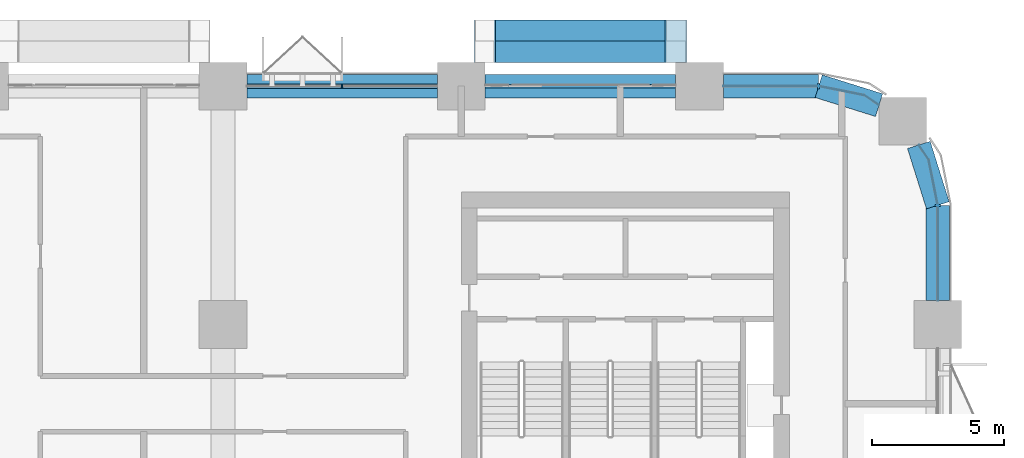
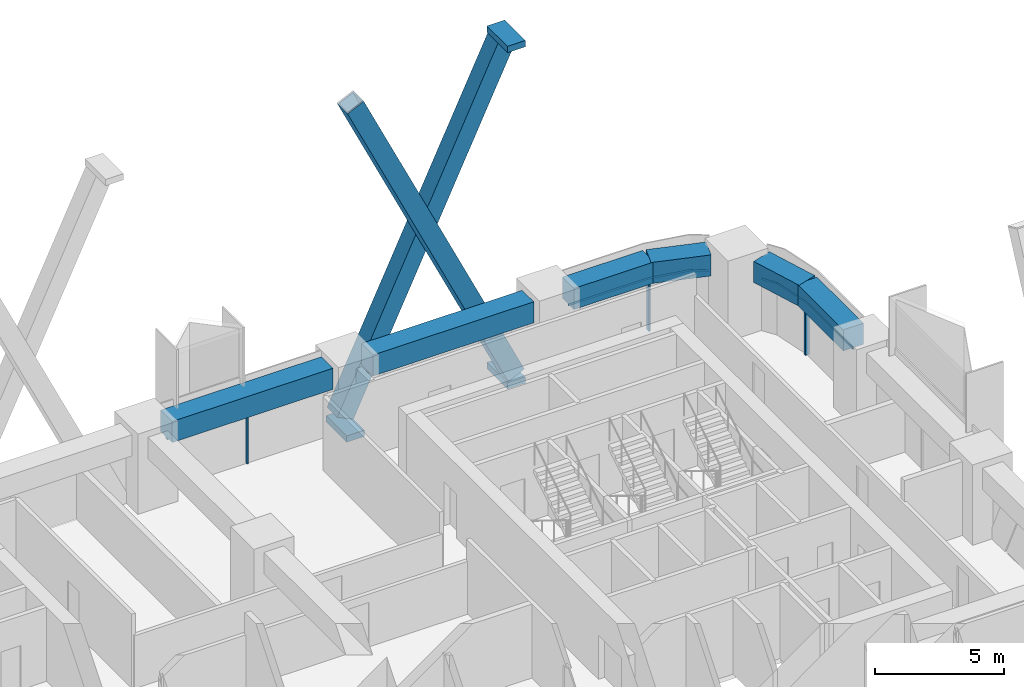
# One storey, part 9 of 23: 12 members, 6 beams, 4 elements without a shape of their own.
"""IFC4 building model written with IfcOpenShell, lengths in metres."""

from ifc_helpers import new_model, si_unit, direction, frame, origin, origin_2d, place, context, subcontext, project, spatial, polyline, rectangle, hollow_rectangle, outline, extrude, material, layer, layer_set, material_profile, profile_set, type_object, element, aggregate, save


model = new_model("IFC4")

# Units and contexts
model_context = context("Model", 3, precision=1e-05, world=origin(), true_north=direction((0.0, 1.0)))
body_context = subcontext(model_context, "Body", "Model", "MODEL_VIEW")
ifc_project = project(units=[si_unit("LENGTHUNIT", "METRE"), si_unit("AREAUNIT", "SQUARE_METRE"), si_unit("VOLUMEUNIT", "CUBIC_METRE"), si_unit("PLANEANGLEUNIT", "RADIAN"), si_unit("MASSUNIT", "GRAM", prefix="KILO")], contexts=[model_context])

# Site, building, storey
site_placement = place(None, origin())
site = spatial("IfcSite", under=ifc_project, at=site_placement, CompositionType="ELEMENT")
building_placement = place(site_placement, origin())
building = spatial("IfcBuilding", under=site, at=building_placement, Name="Tessera Arch", CompositionType="ELEMENT")
storey_placement = place(building_placement, frame((0.0, 0.0, 46.199951171875)))
storey = spatial("IfcBuildingStorey", under=building, at=storey_placement, Name="L09", CompositionType="ELEMENT", Elevation=46.199951171875)

# Members
ifc_material_1 = material(Name="Steel A572 Gr50", Category="steel")
ifc_material_profile_1 = material_profile(ifc_material_1, hollow_rectangle(XDim=0.800048828125, YDim=0.800048828125, WallThickness=0.06005859375, at=origin_2d()), Name="BOX 800x800x60")
ifc_profile_set_1 = profile_set([ifc_material_profile_1], Name="Steel A572 Gr50")
member_type_1 = type_object("IfcMemberType", Name="Brace BOX 800x800x60 Steel A572 Gr50", PredefinedType="BRACE", material=ifc_profile_set_1)
for number, where, z_axis, x_axis, name in (
    (1, (44.10009765625, 55.300048828125, -0.800048828125), (-0.428091336491, 0.0, 0.903735474363), (0.0, -1.0, 0.0), "Brace N54.0-1 A L09-L12"),
    (2, (36.89990234375, 56.10009765625, -0.800048828125), (0.428091336491, 0.0, 0.903735474363), (0.0, 1.0, 0.0), "Brace N54.0-1 B L09-L12"),
):
    element("IfcMember", number, at=place(storey_placement, frame(where, z_axis=z_axis, x_axis=x_axis)), inside=storey, type_object=member_type_1, Name=name, PredefinedType="BRACE", context=body_context, shape_type="SweptSolid", body=[
        extrude(hollow_rectangle(XDim=0.800048828125, YDim=0.800048828125, WallThickness=0.06005859375, at=origin_2d()), origin(), (0.0, 0.0, 1.0), 16.8193359375),
    ])

# Curtain wall, members
ifc_material_2 = material(Name="CW1 curtain wall")
curtain_wall_type_1 = type_object("IfcCurtainWallType", Name="CW1 curtain wall", PredefinedType="NOTDEFINED", material=ifc_material_2)
curtain_wall_1_placement = place(storey_placement, origin())
curtain_wall_1 = element("IfcCurtainWall", 3, at=curtain_wall_1_placement, inside=storey, type_object=curtain_wall_type_1, Name="CW1 curtain wall N54.0/2 L09", PredefinedType="NOTDEFINED")
ifc_material_3 = material(Name="Anodised aluminium pale metal", Category="aluminium")
ifc_material_profile_2 = material_profile(ifc_material_3, rectangle(XDim=0.159912109375, YDim=0.06005859375, at=origin_2d()), Name="AL 60x160")
ifc_profile_set_2 = profile_set([ifc_material_profile_2], Name="Anodised aluminium pale metal")
member_type_2 = type_object("IfcMemberType", Name="CW1 mullion", PredefinedType="MULLION", material=ifc_profile_set_2)
member_1_placement = place(storey_placement, frame((31.5, 54.0, 0.0), z_axis=(0.0, 0.0, 1.0), x_axis=(0.0, -1.0, 0.0)))
member_1 = element("IfcMember", 4, at=member_1_placement, type_object=member_type_2, Name="CW1 mullion N54.0/2 1", PredefinedType="MULLION", context=body_context, shape_type="SweptSolid", body=[
    extrude(rectangle(XDim=0.159912109375, YDim=0.06005859375, at=origin_2d()), origin(), (0.0, 0.0, 1.0), 2.400146484375),
])
ifc_material_4 = material(Name="Anodised aluminium pale metal", Category="aluminium")
ifc_material_profile_3 = material_profile(ifc_material_4, rectangle(XDim=0.159912109375, YDim=0.10009765625, at=origin_2d()), Name="AL 160x100")
ifc_profile_set_3 = profile_set([ifc_material_profile_3], Name="Anodised aluminium pale metal")
member_type_3 = type_object("IfcMemberType", Name="CW1 transom", PredefinedType="USERDEFINED", material=ifc_profile_set_3)
member_2_placement = place(storey_placement, frame((35.10009765625, 54.0, 2.449951171875), z_axis=(-1.0, 0.0, 0.0), x_axis=(0.0, -1.0, 0.0)))
member_2 = element("IfcMember", 5, at=member_2_placement, type_object=member_type_3, Name="CW1 transom N54.0/2 1.1", ObjectType="TRANSOM", PredefinedType="USERDEFINED", context=body_context, shape_type="SweptSolid", body=[
    extrude(rectangle(XDim=0.159912109375, YDim=0.10009765625, at=origin_2d()), origin(), (0.0, 0.0, 1.0), 7.2001953125),
])
aggregate(curtain_wall_1, [member_1, member_2])

# Curtain wall, member
ifc_material_5 = material(Name="CW2 curtain wall")
curtain_wall_type_2 = type_object("IfcCurtainWallType", Name="CW2 curtain wall", PredefinedType="NOTDEFINED", material=ifc_material_5)
curtain_wall_2_placement = place(storey_placement, origin())
curtain_wall_2 = element("IfcCurtainWall", 6, at=curtain_wall_2_placement, inside=storey, type_object=curtain_wall_type_2, Name="CW2 curtain wall E54.0/5 L09", PredefinedType="NOTDEFINED")
ifc_material_6 = material(Name="Anodised aluminium pale metal", Category="aluminium")
ifc_material_profile_4 = material_profile(ifc_material_6, rectangle(XDim=0.199951171875, YDim=0.080078125, at=origin_2d()), Name="AL 80x200")
ifc_profile_set_4 = profile_set([ifc_material_profile_4], Name="Anodised aluminium pale metal")
member_type_4 = type_object("IfcMemberType", Name="CW2 mullion", PredefinedType="MULLION", material=ifc_profile_set_4)
member_3_placement = place(storey_placement, frame((54.0, 49.5, 0.0), z_axis=(0.0, 0.0, 1.0), x_axis=(-1.0, 0.0, 0.0)))
member_3 = element("IfcMember", 7, at=member_3_placement, type_object=member_type_4, Name="CW2 mullion E54.0/5 1", PredefinedType="MULLION", context=body_context, shape_type="SweptSolid", body=[
    extrude(rectangle(XDim=0.199951171875, YDim=0.080078125, at=origin_2d()), origin(), (0.0, 0.0, 1.0), 2.400146484375),
])

curtain_wall_3_placement = place(storey_placement, origin())
curtain_wall_3 = element("IfcCurtainWall", 8, at=curtain_wall_3_placement, inside=storey, type_object=curtain_wall_type_2, Name="CW2 curtain wall N54.0/0 L09", PredefinedType="NOTDEFINED")
member_4_placement = place(storey_placement, frame((49.5, 54.0, 0.0), z_axis=(0.0, 0.0, 1.0), x_axis=(0.0, -1.0, 0.0)))
member_4 = element("IfcMember", 9, at=member_4_placement, type_object=member_type_4, Name="CW2 mullion N54.0/0 1", PredefinedType="MULLION", context=body_context, shape_type="SweptSolid", body=[
    extrude(rectangle(XDim=0.199951171875, YDim=0.080078125, at=origin_2d()), origin(), (0.0, 0.0, 1.0), 2.400146484375),
])

# Member
ifc_material_7 = material(Name="Anodised aluminium pale metal", Category="aluminium")
ifc_material_profile_5 = material_profile(ifc_material_7, rectangle(XDim=0.199951171875, YDim=0.10009765625, at=origin_2d()), Name="AL 200x100")
ifc_profile_set_5 = profile_set([ifc_material_profile_5], Name="Anodised aluminium pale metal")
member_type_5 = type_object("IfcMemberType", Name="CW2 transom", PredefinedType="USERDEFINED", material=ifc_profile_set_5)
member_5_placement = place(storey_placement, frame((0.0, 0.0, 2.400146484375)))
member_5 = element("IfcMember", 10, at=member_5_placement, type_object=member_type_5, Name="CW2 transom E54.0/5 1", ObjectType="TRANSOM", PredefinedType="USERDEFINED", context=body_context, shape_type="SweptSolid", body=[
    extrude(outline(polyline([(53.989990234375, 49.4990234375), (53.989990234375, 45.89990234375), (54.010009765625, 45.89990234375), (54.010009765625, 49.5009765625), (53.6669921875, 51.22607421875), (53.29150390625, 51.78759765625), (53.27490234375, 51.7763671875), (53.648193359375, 51.21826171875), (53.989990234375, 49.4990234375)])), origin(), (0.0, 0.0, 1.0), 0.099853515625),
])

aggregate(curtain_wall_2, [member_3, member_5])

member_6_placement = place(storey_placement, frame((0.0, 0.0, 2.400146484375)))
member_6 = element("IfcMember", 11, at=member_6_placement, type_object=member_type_5, Name="CW2 transom N54.0/0 1", ObjectType="TRANSOM", PredefinedType="USERDEFINED", context=body_context, shape_type="SweptSolid", body=[
    extrude(outline(polyline([(51.21826171875, 53.648193359375), (51.7763671875, 53.27490234375), (51.78759765625, 53.29150390625), (51.22607421875, 53.6669921875), (49.5009765625, 54.010009765625), (45.89990234375, 54.010009765625), (45.89990234375, 53.989990234375), (49.4990234375, 53.989990234375), (51.21826171875, 53.648193359375)])), origin(), (0.0, 0.0, 1.0), 0.099853515625),
])

aggregate(curtain_wall_3, [member_4, member_6])

# Curtain wall, member
ifc_material_8 = material(Name="CW3 curtain wall")
curtain_wall_type_3 = type_object("IfcCurtainWallType", Name="CW3 curtain wall", PredefinedType="NOTDEFINED", material=ifc_material_8)
curtain_wall_4_placement = place(storey_placement, origin())
curtain_wall_4 = element("IfcCurtainWall", 12, at=curtain_wall_4_placement, inside=storey, type_object=curtain_wall_type_3, Name="CW3 curtain wall N54.0/1 L09", PredefinedType="NOTDEFINED")
ifc_material_9 = material(Name="Anodised aluminium pale metal", Category="aluminium")
ifc_material_profile_6 = material_profile(ifc_material_9, rectangle(XDim=0.139892578125, YDim=0.10009765625, at=origin_2d()), Name="AL 140x100")
ifc_profile_set_6 = profile_set([ifc_material_profile_6], Name="Anodised aluminium pale metal")
member_type_6 = type_object("IfcMemberType", Name="CW3 transom", PredefinedType="USERDEFINED", material=ifc_profile_set_6)
member_7_placement = place(storey_placement, frame((44.10009765625, 54.0, 2.449951171875), z_axis=(-1.0, 0.0, 0.0), x_axis=(0.0, -1.0, 0.0)))
member_7 = element("IfcMember", 13, at=member_7_placement, type_object=member_type_6, Name="CW3 transom N54.0/1 1.1", ObjectType="TRANSOM", PredefinedType="USERDEFINED", context=body_context, shape_type="SweptSolid", body=[
    extrude(rectangle(XDim=0.139892578125, YDim=0.10009765625, at=origin_2d()), origin(), (0.0, 0.0, 1.0), 7.2001953125),
])
aggregate(curtain_wall_4, [member_7])

# Members
ifc_material_10 = material(Name="Steel A572 Gr50", Category="steel")
ifc_layer = layer(ifc_material_10, 0.050048828125)
ifc_layer_set = layer_set([ifc_layer], Name="Node block Steel A572 Gr50")
member_type_7 = type_object("IfcMemberType", Name="Node block Steel A572 Gr50", PredefinedType="PLATE", material=ifc_layer_set)
for number, where, z_axis, x_axis, name in (
    (14, (36.89990234375, 55.699951171875, -1.31640625), (0.0, 0.0, 1.0), (-1.0, 0.0, 0.0), "Node block seat N54.0-1 1 L09"),
    (15, (44.10009765625, 55.699951171875, -1.31640625), (0.0, 0.0, 1.0), (-1.0, 0.0, 0.0), "Node block seat N54.0-1 2 L09"),
    (16, (44.10009765625, 55.699951171875, 14.6162109375), (0.0, 0.0, 1.0), (-1.0, 0.0, 0.0), "Node block head N54.0-1 B L09"),
):
    element("IfcMember", number, at=place(storey_placement, frame(where, z_axis=z_axis, x_axis=x_axis)), inside=storey, type_object=member_type_7, Name=name, PredefinedType="PLATE", context=body_context, shape_type="SweptSolid", body=[
        extrude(rectangle(XDim=0.800048828125, YDim=1.60009765625, at=origin_2d()), origin(), (0.0, 0.0, 1.0), 0.300048828125),
    ])

# Beams
ifc_material_11 = material(Name="Concrete C80/95", Category="concrete")
ifc_material_profile_7 = material_profile(ifc_material_11, rectangle(XDim=0.89990234375, YDim=1.0, at=origin_2d()), Name="RC spandrel beam 900 x 1000 Concrete C80/95")
ifc_profile_set_7 = profile_set([ifc_material_profile_7], Name="Concrete C80/95")
beam_type = type_object("IfcBeamType", Name="RC spandrel beam 900 x 1000 Concrete C80/95", PredefinedType="BEAM", material=ifc_profile_set_7)
beam_1_placement = place(storey_placement, frame((54.0, 45.89990234375, 3.0), z_axis=(0.0, 1.0, 0.0), x_axis=(-1.0, 0.0, 0.0)))
element("IfcBeam", 17, at=beam_1_placement, inside=storey, type_object=beam_type, Name="Spandrel beam L09 E54.0/5.1", PredefinedType="BEAM", context=body_context, shape_type="SweptSolid", body=[
    extrude(rectangle(XDim=0.89990234375, YDim=1.0, at=origin_2d()), origin(), (0.0, 0.0, 1.0), 3.60009765625),
])
for number, where, z_axis, x_axis, name in (
    (18, (54.0, 49.5, 3.0), (-0.299675309057, 0.954041251279, 0.0), (-0.954041251279, -0.299675309057, 0.0), "Spandrel beam L09 E54.0/5.2"),
    (19, (51.781982421875, 53.283203125, 3.0), (-0.954041251279, 0.299675309057, 0.0), (-0.299675309057, -0.954041251279, 0.0), "Spandrel beam L09 N54.0/0.1"),
):
    element("IfcBeam", number, at=place(storey_placement, frame(where, z_axis=z_axis, x_axis=x_axis)), inside=storey, type_object=beam_type, Name=name, PredefinedType="BEAM", context=body_context, shape_type="SweptSolid", body=[
        extrude(rectangle(XDim=0.89990234375, YDim=1.0, at=origin_2d()), origin(), (0.0, 0.0, 1.0), 2.391845703125),
    ])
beam_2_placement = place(storey_placement, frame((49.5, 54.0, 3.0), z_axis=(-1.0, 0.0, 0.0), x_axis=(0.0, -1.0, 0.0)))
element("IfcBeam", 20, at=beam_2_placement, inside=storey, type_object=beam_type, Name="Spandrel beam L09 N54.0/0.2", PredefinedType="BEAM", context=body_context, shape_type="SweptSolid", body=[
    extrude(rectangle(XDim=0.89990234375, YDim=1.0, at=origin_2d()), origin(), (0.0, 0.0, 1.0), 3.60009765625),
])
for number, where, z_axis, x_axis, name in (
    (21, (44.10009765625, 54.0, 3.0), (-1.0, 0.0, 0.0), (0.0, -1.0, 0.0), "Spandrel beam L09 N54.0/1"),
    (22, (35.10009765625, 54.0, 3.0), (-1.0, 0.0, 0.0), (0.0, -1.0, 0.0), "Spandrel beam L09 N54.0/2"),
):
    element("IfcBeam", number, at=place(storey_placement, frame(where, z_axis=z_axis, x_axis=x_axis)), inside=storey, type_object=beam_type, Name=name, PredefinedType="BEAM", context=body_context, shape_type="SweptSolid", body=[
        extrude(rectangle(XDim=0.89990234375, YDim=1.0, at=origin_2d()), origin(), (0.0, 0.0, 1.0), 7.2001953125),
    ])

save(model, "model.ifc")
